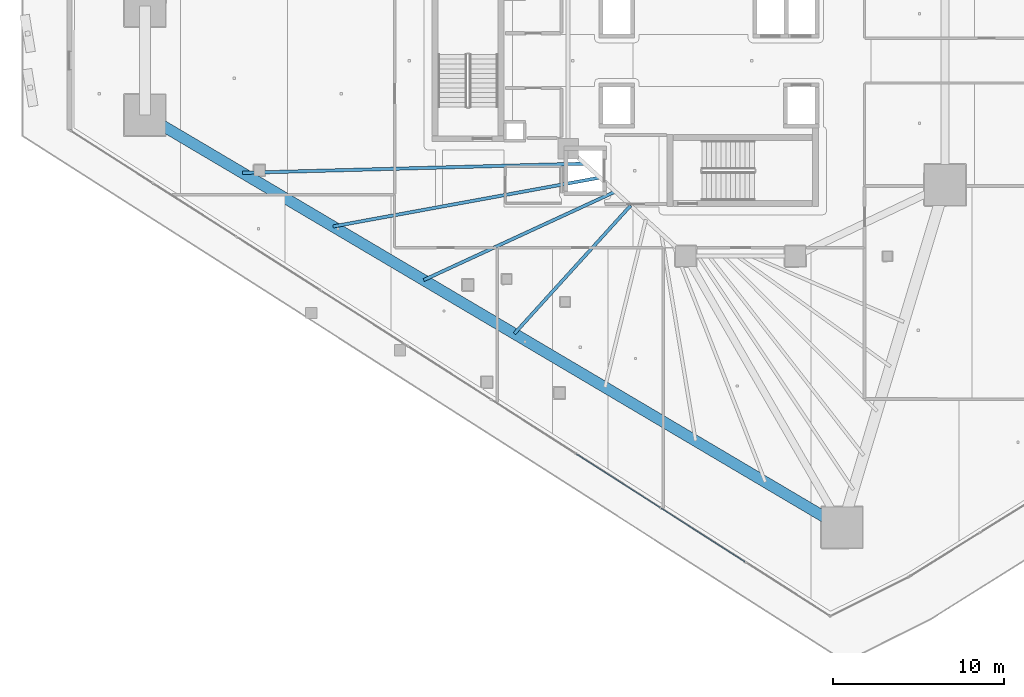
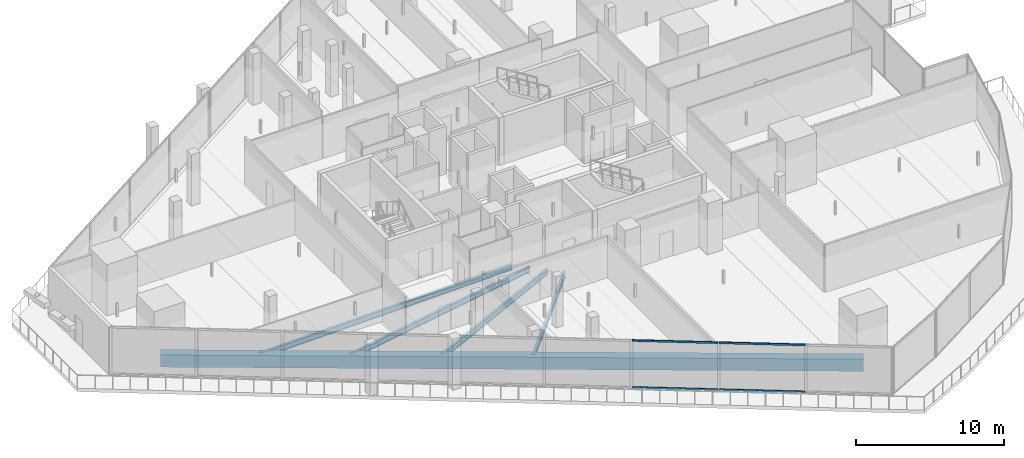
# One storey, part 6 of 45: 5 beams, 4 members, 1 element without a shape of its own.
"""IFC4 building model written with IfcOpenShell, lengths in metres."""

import ifcopenshell
import ifcopenshell.guid

model = None  # the IFC model being written
_history = None  # IfcOwnerHistory: only IFC2X3 demands one
_inside = {}  # id of a spatial element -> (the spatial element, [elements in it])
_under = {}  # id of a project, library or spatial element -> (it, [spatial elements below it])
_declared = {}  # id of a project -> (the project, [libraries it declares])
_typed = {}  # id of a type object -> (the type object, [elements of that type])
_made_of = {}  # id of a material, layer set ... -> (it, [elements and type objects made of it])


def new_model(schema):
    """Start an empty IFC model of exactly this schema.

    Asked for "IFC4X3", IfcOpenShell would pick the latest addendum, in which some entities
    have other attributes; the version numbers below select the first issue.
    IFC2X3 requires an IfcOwnerHistory on every rooted entity: one is made here for all.
    """
    global model, _history
    if schema == "IFC4X3":
        model = ifcopenshell.file(schema_version=(4, 3, 0, 0))
    else:
        model = ifcopenshell.file(schema=schema)
    _inside.clear()
    _under.clear()
    _declared.clear()
    _typed.clear()
    _made_of.clear()
    _history = None
    if model.schema == "IFC2X3":
        org = make("IfcOrganization", Name="unknown")
        user = make(
            "IfcPersonAndOrganization",
            ThePerson=make("IfcPerson", FamilyName="unknown"),
            TheOrganization=org,
        )
        app = make(
            "IfcApplication",
            ApplicationDeveloper=org,
            Version="unknown",
            ApplicationFullName="unknown",
            ApplicationIdentifier="unknown",
        )
        _history = make(
            "IfcOwnerHistory",
            OwningUser=user,
            OwningApplication=app,
            ChangeAction="ADDED",
            CreationDate=0,
        )
    return model


def make(cls, **values):
    """One entity of the class cls with the attributes given. An attribute that is None is left unset."""
    return model.create_entity(
        cls, **{name: value for name, value in values.items() if value is not None}
    )


def rooted(cls, **values):
    """An entity with a GlobalId (a new one), such as an element, a storey or a relation."""
    return make(cls, GlobalId=ifcopenshell.guid.new(), OwnerHistory=_history, **values)


def si_unit(unit_type, name, prefix=None):
    """IfcSIUnit, for example si_unit("LENGTHUNIT", "METRE", prefix="MILLI")."""
    return make("IfcSIUnit", UnitType=unit_type, Prefix=prefix, Name=name)


def assignment(units):
    """IfcUnitAssignment: the units of a project."""
    return None if units is None else make("IfcUnitAssignment", Units=units)


def point(xyz):
    """IfcCartesianPoint."""
    return None if xyz is None else make("IfcCartesianPoint", Coordinates=xyz)


def direction(xyz):
    """IfcDirection."""
    return None if xyz is None else make("IfcDirection", DirectionRatios=xyz)


def frame(location, z_axis=None, x_axis=None):
    """IfcAxis2Placement3D, a coordinate frame: its origin and axes. An axis left out is left unset."""
    return make(
        "IfcAxis2Placement3D",
        Location=point(location),
        Axis=direction(z_axis),
        RefDirection=direction(x_axis),
    )


def frame_2d(location, x_axis=None):
    """IfcAxis2Placement2D, a coordinate frame in the plane: its origin and x axis."""
    return make(
        "IfcAxis2Placement2D", Location=point(location), RefDirection=direction(x_axis)
    )


def origin():
    """The frame at (0, 0, 0) with its axes left unset."""
    return frame((0.0, 0.0, 0.0))


def origin_2d():
    """The frame at (0, 0) in the plane with its x axis left unset."""
    return frame_2d((0.0, 0.0))


def place(relative_to, where):
    """IfcLocalPlacement: puts the frame where relative to a parent placement (None: the world)."""
    return make(
        "IfcLocalPlacement", PlacementRelTo=relative_to, RelativePlacement=where
    )


def context(
    kind, dimensions, precision=None, world=None, true_north=None, identifier=None
):
    """IfcGeometricRepresentationContext, for example the 3D "Model" context."""
    return make(
        "IfcGeometricRepresentationContext",
        ContextIdentifier=identifier,
        ContextType=kind,
        CoordinateSpaceDimension=dimensions,
        Precision=precision,
        WorldCoordinateSystem=world,
        TrueNorth=true_north,
    )


def subcontext(parent, identifier, kind, view, scale=None):
    """IfcGeometricRepresentationSubContext, for example "Body" below "Model"."""
    return make(
        "IfcGeometricRepresentationSubContext",
        ContextIdentifier=identifier,
        ContextType=kind,
        ParentContext=parent,
        TargetScale=scale,
        TargetView=view,
    )


def project(units=None, contexts=None):
    """IfcProject with its units and contexts."""
    return rooted(
        "IfcProject",
        Name="project",
        RepresentationContexts=contexts,
        UnitsInContext=assignment(units),
    )


def spatial(cls, under=None, at=None, **own):
    """A site, building, storey or space (cls), placed at a placement, below another one or the project."""
    s = rooted(cls, ObjectPlacement=at, **own)
    if under is not None:
        _under.setdefault(under.id(), (under, []))[1].append(s)
    return s


def profile(cls, at=None, kind="AREA", **sizes):
    """A parametric profile (cls). Its sizes go by their IFC names, for example OverallWidth=200.0."""
    return make(cls, ProfileType=kind, Position=at, **sizes)


def rectangle(**sizes):
    """IfcRectangleProfileDef."""
    return profile("IfcRectangleProfileDef", **sizes)


def hollow_rectangle(**sizes):
    """IfcRectangleHollowProfileDef."""
    return profile("IfcRectangleHollowProfileDef", **sizes)


def i_section(**sizes):
    """IfcIShapeProfileDef."""
    return profile("IfcIShapeProfileDef", **sizes)


def extrude(swept, where, along, depth):
    """IfcExtrudedAreaSolid: the profile swept, set in the frame where, extruded along a direction by depth."""
    return make(
        "IfcExtrudedAreaSolid",
        SweptArea=swept,
        Position=where,
        ExtrudedDirection=direction(along),
        Depth=depth,
    )


def shape(context_of_items, identifier, shape_type, items):
    """IfcShapeRepresentation: the items that make up one representation, for example the "Body"."""
    return make(
        "IfcShapeRepresentation",
        ContextOfItems=context_of_items,
        RepresentationIdentifier=identifier,
        RepresentationType=shape_type,
        Items=items,
    )


def material(Name=None, Category=None):
    """IfcMaterial."""
    return make("IfcMaterial", Name=Name, Category=Category)


def layer(
    of_material, thickness, ventilated=None, Name=None, Category=None, Priority=None
):
    """IfcMaterialLayer: one layer of a wall or slab, of a material (None: an air gap)."""
    return make(
        "IfcMaterialLayer",
        Material=of_material,
        LayerThickness=thickness,
        IsVentilated=ventilated,
        Name=Name,
        Category=Category,
        Priority=Priority,
    )


def layer_set(layers, Name=None):
    """IfcMaterialLayerSet."""
    return make("IfcMaterialLayerSet", MaterialLayers=layers, LayerSetName=Name)


def material_profile(
    of_material, cross_section, Name=None, Category=None, Priority=None
):
    """IfcMaterialProfile: a cross section and its material."""
    return make(
        "IfcMaterialProfile",
        Name=Name,
        Material=of_material,
        Profile=cross_section,
        Priority=Priority,
        Category=Category,
    )


def profile_set(profiles, Name=None, composite=None):
    """IfcMaterialProfileSet."""
    return make(
        "IfcMaterialProfileSet",
        Name=Name,
        MaterialProfiles=profiles,
        CompositeProfile=composite,
    )


def made_of(thing, what):
    """Note that an element or type object is made of a material, layer set ...; save() writes the relation."""
    if what is not None:
        _made_of.setdefault(what.id(), (what, []))[1].append(thing)
    return thing


def type_object(cls, material=None, **own):
    """A type object (cls), such as IfcWallType, which elements share."""
    return made_of(rooted(cls, **own), material)


def element(
    cls,
    number,
    at=None,
    inside=None,
    cuts=None,
    type_object=None,
    material=None,
    context=None,
    identifier="Body",
    shape_type=None,
    held_by="IfcProductDefinitionShape",
    body=None,
    shapes=None,
    **own,
):
    """One element of the class cls, such as IfcWall. Its Tag is "e" and its number.

    at: its placement. inside: the storey or other place that contains it. cuts: it is an
    opening in that element (IfcRelVoidsElement). A single representation is given by context,
    identifier, shape_type and body (its items); several are given by shapes. held_by: the class
    of the entity that holds the representations. save() writes the other relations.
    """
    e = rooted(cls, Tag="e%d" % number, ObjectPlacement=at, **own)
    if body is not None:
        shapes = [shape(context, identifier, shape_type, body)]
    if shapes is not None:
        e.Representation = make(held_by, Representations=shapes)
    if inside is not None:
        _inside.setdefault(inside.id(), (inside, []))[1].append(e)
    if cuts is not None:
        rooted(
            "IfcRelVoidsElement", RelatingBuildingElement=cuts, RelatedOpeningElement=e
        )
    if type_object is not None:
        _typed.setdefault(type_object.id(), (type_object, []))[1].append(e)
    return made_of(e, material)


def aggregate(whole, parts):
    """IfcRelAggregates: a whole, such as a stair, and the parts it consists of."""
    return rooted("IfcRelAggregates", RelatingObject=whole, RelatedObjects=parts)


def save(model, path):
    """Write the relations noted so far, then the file.

    IfcRelAggregates (storeys below a building ...), IfcRelContainedInSpatialStructure (elements
    in a storey), IfcRelDefinesByType, IfcRelAssociatesMaterial and IfcRelDeclares: one each for
    every whole, place, type object, material and project.
    """
    for whole, parts in _under.values():
        aggregate(whole, parts)
    for where, things in _inside.values():
        rooted(
            "IfcRelContainedInSpatialStructure",
            RelatedElements=things,
            RelatingStructure=where,
        )
    for kind, things in _typed.values():
        rooted("IfcRelDefinesByType", RelatedObjects=things, RelatingType=kind)
    for what, things in _made_of.values():
        rooted("IfcRelAssociatesMaterial", RelatedObjects=things, RelatingMaterial=what)
    for by, libraries in _declared.values():
        rooted("IfcRelDeclares", RelatingContext=by, RelatedDefinitions=libraries)
    model.write(path)


model = new_model("IFC4")

# Units and contexts
model_context = context("Model", 3, precision=1e-05, world=origin(), true_north=direction((0.0, 1.0)))
body_context = subcontext(model_context, "Body", "Model", "MODEL_VIEW")
ifc_project = project(units=[si_unit("LENGTHUNIT", "METRE"), si_unit("AREAUNIT", "SQUARE_METRE"), si_unit("VOLUMEUNIT", "CUBIC_METRE"), si_unit("PLANEANGLEUNIT", "RADIAN"), si_unit("MASSUNIT", "GRAM", prefix="KILO")], contexts=[model_context])

# Site, building, storey
site_placement = place(None, origin())
site = spatial("IfcSite", under=ifc_project, at=site_placement, CompositionType="ELEMENT")
building_placement = place(site_placement, origin())
building = spatial("IfcBuilding", under=site, at=building_placement, Name="Qorvath Tower", CompositionType="ELEMENT")
storey_placement = place(building_placement, frame((0.0, 0.0, 66.0)))
storey = spatial("IfcBuildingStorey", under=building, at=storey_placement, Name="L14", CompositionType="ELEMENT", Elevation=66.0)

# Beams
ifc_material_1 = material(Name="Steel ASTM A992 Grade 50", Category="steel")
ifc_material_profile_1 = material_profile(ifc_material_1, i_section(OverallWidth=0.18994140625, OverallDepth=0.45703125, WebThickness=0.009033203125, FlangeThickness=0.014404296875, FilletRadius=0.011962890625, at=origin_2d()), Name="W18x50")
ifc_profile_set_1 = profile_set([ifc_material_profile_1], Name="Steel ASTM A992 Grade 50")
beam_type_1 = type_object("IfcBeamType", Name="BM-FJ2", PredefinedType="JOIST", material=ifc_profile_set_1)
beam_1_placement = place(storey_placement, frame((-29.533935546875, -6.031982421875, -0.508544921875), z_axis=(-0.999634925413, -0.02701880631, 0.0), x_axis=(0.02701880631, -0.999634925413, 0.0)))
element("IfcBeam", 1, at=beam_1_placement, inside=storey, type_object=beam_type_1, Name="Composite Floor Joist SW1 L14", PredefinedType="JOIST", context=body_context, shape_type="SweptSolid", body=[
    extrude(i_section(OverallWidth=0.18994140625, OverallDepth=0.45703125, WebThickness=0.009033203125, FlangeThickness=0.014404296875, FilletRadius=0.011962890625, at=origin_2d()), origin(), (0.0, 0.0, 1.0), 20.041748046875),
])
beam_2_placement = place(storey_placement, frame((-28.636962890625, -6.85107421875, -0.508544921875), z_axis=(-0.983656498786, -0.180055248176, 0.0), x_axis=(0.180055248176, -0.983656498786, 0.0)))
element("IfcBeam", 2, at=beam_2_placement, inside=storey, type_object=beam_type_1, Name="Composite Floor Joist SW2 L14", PredefinedType="JOIST", context=body_context, shape_type="SweptSolid", body=[
    extrude(i_section(OverallWidth=0.18994140625, OverallDepth=0.45703125, WebThickness=0.009033203125, FlangeThickness=0.014404296875, FilletRadius=0.011962890625, at=origin_2d()), origin(), (0.0, 0.0, 1.0), 15.884521484375),
])
beam_3_placement = place(storey_placement, frame((-27.739990234375, -7.669921875, -0.508544921875), z_axis=(-0.907881281747, -0.419227358665, 0.0), x_axis=(0.419227358665, -0.907881281747, 0.0)))
element("IfcBeam", 3, at=beam_3_placement, inside=storey, type_object=beam_type_1, Name="Composite Floor Joist SW3 L14", PredefinedType="JOIST", context=body_context, shape_type="SweptSolid", body=[
    extrude(i_section(OverallWidth=0.18994140625, OverallDepth=0.45703125, WebThickness=0.009033203125, FlangeThickness=0.014404296875, FilletRadius=0.011962890625, at=origin_2d()), origin(), (0.0, 0.0, 1.0), 12.353515625),
])
beam_4_placement = place(storey_placement, frame((-26.843017578125, -8.489013671875, -0.508544921875), z_axis=(-0.672128980215, -0.740434084815, 0.0), x_axis=(0.740434084815, -0.672128980215, 0.0)))
element("IfcBeam", 4, at=beam_4_placement, inside=storey, type_object=beam_type_1, Name="Composite Floor Joist SW4 L14", PredefinedType="JOIST", context=body_context, shape_type="SweptSolid", body=[
    extrude(i_section(OverallWidth=0.18994140625, OverallDepth=0.45703125, WebThickness=0.009033203125, FlangeThickness=0.014404296875, FilletRadius=0.011962890625, at=origin_2d()), origin(), (0.0, 0.0, 1.0), 10.1259765625),
])
ifc_material_2 = material(Name="Concrete C50/60", Category="concrete")
ifc_material_profile_2 = material_profile(ifc_material_2, rectangle(XDim=0.64990234375, YDim=1.0, at=origin_2d()), Name="RCB 1000x650")
ifc_profile_set_2 = profile_set([ifc_material_profile_2], Name="Concrete C50/60")
beam_type_2 = type_object("IfcBeamType", Name="BM-RCB1", PredefinedType="SPANDREL", material=ifc_profile_set_2)
beam_5_placement = place(storey_placement, frame((-55.282958984375, -3.194580078125, -0.780029296875), z_axis=(0.860777360917, -0.508981664633, 0.0), x_axis=(0.508981664633, 0.860777360917, 0.0)))
element("IfcBeam", 5, at=beam_5_placement, inside=storey, type_object=beam_type_2, Name="Perimeter Loggia Frame Beam MC2-MC3 L14", PredefinedType="SPANDREL", context=body_context, shape_type="SweptSolid", body=[
    extrude(rectangle(XDim=0.64990234375, YDim=1.0, at=origin_2d()), origin(), (0.0, 0.0, 1.0), 47.420654296875),
])

# Curtain wall, members
ifc_material_3 = material(Name="Anodised aluminium and triple low-E glass", Category="aluminium")
ifc_layer = layer(ifc_material_3, 0.179931640625)
ifc_layer_set = layer_set([ifc_layer], Name="CW-SYS-2")
curtain_wall_type = type_object("IfcCurtainWallType", Name="CW-SYS-2", PredefinedType="NOTDEFINED", material=ifc_layer_set)
curtain_wall_placement = place(storey_placement, origin())
curtain_wall = element("IfcCurtainWall", 6, at=curtain_wall_placement, inside=storey, type_object=curtain_wall_type, Name="Curtain Wall CW-2 CW-T-L14-2.2", PredefinedType="NOTDEFINED")
ifc_material_4 = material(Name="Anodised aluminium 6063-T6", Category="aluminium")
ifc_material_profile_3 = material_profile(ifc_material_4, hollow_rectangle(XDim=0.06494140625, YDim=0.159912109375, WallThickness=0.00341796875, InnerFilletRadius=0.00341796875, OuterFilletRadius=0.007080078125, at=origin_2d()), Name="CWT 160x65")
ifc_profile_set_3 = profile_set([ifc_material_profile_3], Name="Anodised aluminium 6063-T6")
member_type = type_object("IfcMemberType", Name="CWT-160", PredefinedType="USERDEFINED", material=ifc_profile_set_3)
member_1_placement = place(storey_placement, frame((-30.011962890625, -23.03955078125, 0.032470703125), z_axis=(0.842608539244, -0.538526554214, 0.0), x_axis=(0.538526554214, 0.842608539244, 0.0)))
member_1 = element("IfcMember", 7, at=member_1_placement, type_object=member_type, Name="CW-2 transom 3.1", ObjectType="TRANSOM", PredefinedType="USERDEFINED", context=body_context, shape_type="SweptSolid", body=[
    extrude(hollow_rectangle(XDim=0.06494140625, YDim=0.159912109375, WallThickness=0.00341796875, InnerFilletRadius=0.00341796875, OuterFilletRadius=0.007080078125, at=origin_2d()), origin(), (0.0, 0.0, 1.0), 5.8232421875),
])
member_2_placement = place(storey_placement, frame((-30.011962890625, -23.03955078125, 3.887451171875), z_axis=(0.842608539244, -0.538526554214, 0.0), x_axis=(0.538526554214, 0.842608539244, 0.0)))
member_2 = element("IfcMember", 8, at=member_2_placement, type_object=member_type, Name="CW-2 transom 3.2", ObjectType="TRANSOM", PredefinedType="USERDEFINED", context=body_context, shape_type="SweptSolid", body=[
    extrude(hollow_rectangle(XDim=0.06494140625, YDim=0.159912109375, WallThickness=0.00341796875, InnerFilletRadius=0.00341796875, OuterFilletRadius=0.007080078125, at=origin_2d()), origin(), (0.0, 0.0, 1.0), 5.8232421875),
])
member_3_placement = place(storey_placement, frame((-25.050537109375, -26.210693359375, 0.032470703125), z_axis=(0.842608539244, -0.538526554214, 0.0), x_axis=(0.538526554214, 0.842608539244, 0.0)))
member_3 = element("IfcMember", 9, at=member_3_placement, type_object=member_type, Name="CW-2 transom 4.1", ObjectType="TRANSOM", PredefinedType="USERDEFINED", context=body_context, shape_type="SweptSolid", body=[
    extrude(hollow_rectangle(XDim=0.06494140625, YDim=0.159912109375, WallThickness=0.00341796875, InnerFilletRadius=0.00341796875, OuterFilletRadius=0.007080078125, at=origin_2d()), origin(), (0.0, 0.0, 1.0), 5.8232421875),
])
member_4_placement = place(storey_placement, frame((-25.050537109375, -26.210693359375, 3.887451171875), z_axis=(0.842608539244, -0.538526554214, 0.0), x_axis=(0.538526554214, 0.842608539244, 0.0)))
member_4 = element("IfcMember", 10, at=member_4_placement, type_object=member_type, Name="CW-2 transom 4.2", ObjectType="TRANSOM", PredefinedType="USERDEFINED", context=body_context, shape_type="SweptSolid", body=[
    extrude(hollow_rectangle(XDim=0.06494140625, YDim=0.159912109375, WallThickness=0.00341796875, InnerFilletRadius=0.00341796875, OuterFilletRadius=0.007080078125, at=origin_2d()), origin(), (0.0, 0.0, 1.0), 5.8232421875),
])
aggregate(curtain_wall, [member_1, member_2, member_3, member_4])

save(model, "model.ifc")
